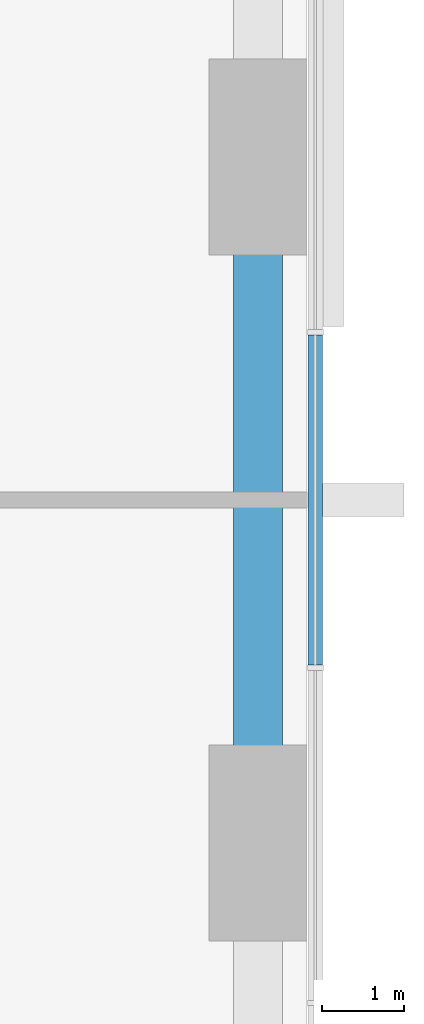
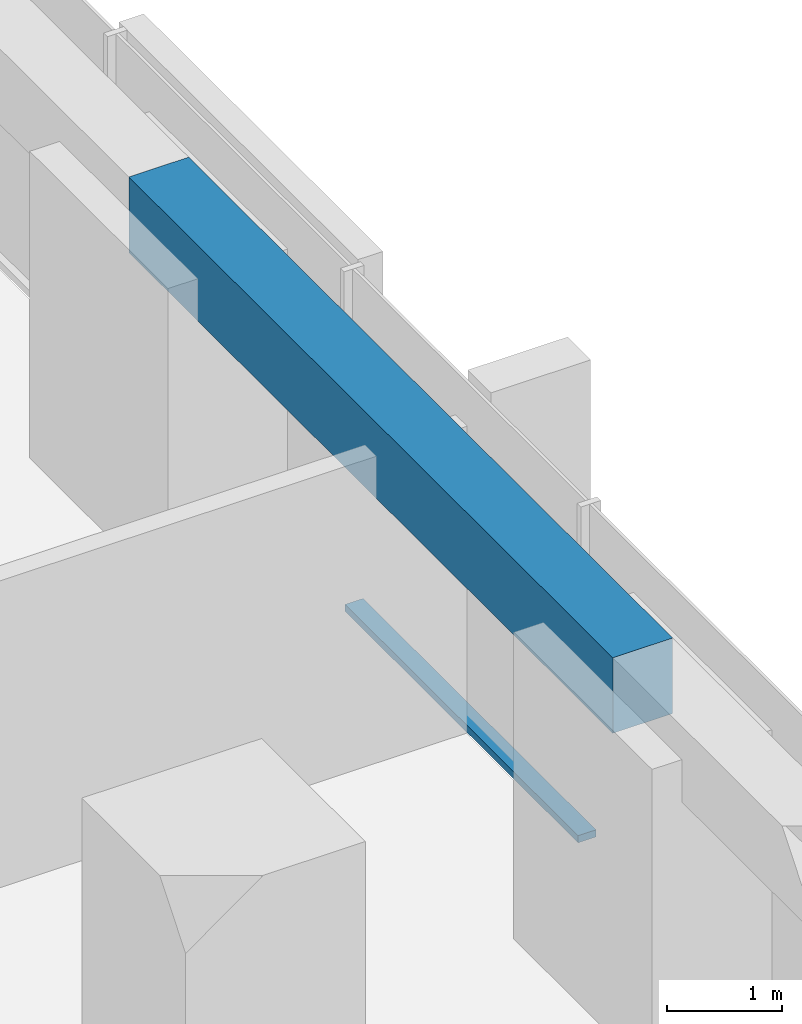
# One storey, part 5 of 17: 1 beam, 1 member, 1 element without a shape of its own.
"""IFC4 building model written with IfcOpenShell, lengths in metres."""

from ifc_helpers import new_model, si_unit, direction, frame, origin, origin_2d, place, context, subcontext, project, spatial, rectangle, extrude, material, material_profile, profile_set, type_object, element, aggregate, save


model = new_model("IFC4")

# Units and contexts
model_context = context("Model", 3, precision=1e-05, world=origin(), true_north=direction((0.0, 1.0)))
body_context = subcontext(model_context, "Body", "Model", "MODEL_VIEW")
ifc_project = project(units=[si_unit("LENGTHUNIT", "METRE"), si_unit("AREAUNIT", "SQUARE_METRE"), si_unit("VOLUMEUNIT", "CUBIC_METRE"), si_unit("PLANEANGLEUNIT", "RADIAN"), si_unit("MASSUNIT", "GRAM", prefix="KILO")], contexts=[model_context])

# Site, building, storey
site_placement = place(None, origin())
site = spatial("IfcSite", under=ifc_project, at=site_placement, CompositionType="ELEMENT")
building_placement = place(site_placement, origin())
building = spatial("IfcBuilding", under=site, at=building_placement, Name="Dunama Terrace Hotel", CompositionType="ELEMENT")
storey_placement = place(building_placement, frame((0.0, 0.0, 77.39990234375)))
storey = spatial("IfcBuildingStorey", under=building, at=storey_placement, Name="L19", CompositionType="ELEMENT", Elevation=77.39990234375)

# Curtain wall, member
ifc_material_1 = material(Name="Aluminium curtain wall system", Category="aluminium")
curtain_wall_type = type_object("IfcCurtainWallType", Name="Unitised fritted glass wall CW-A", PredefinedType="NOTDEFINED", material=ifc_material_1)
curtain_wall_placement = place(storey_placement, origin())
curtain_wall = element("IfcCurtainWall", 1, at=curtain_wall_placement, inside=storey, type_object=curtain_wall_type, Name="Unitised fritted glass wall CW-A L19", PredefinedType="NOTDEFINED")
ifc_material_2 = material(Name="Aluminium transom", Category="aluminium")
ifc_material_profile_1 = material_profile(ifc_material_2, rectangle(XDim=0.179931640625, YDim=0.074951171875, at=origin_2d()), Name="CWA TRANSOM 180X75")
ifc_profile_set_1 = profile_set([ifc_material_profile_1], Name="Aluminium transom")
member_type = type_object("IfcMemberType", Name="CWA transom 180x75", PredefinedType="USERDEFINED", material=ifc_profile_set_1)
member_placement = place(storey_placement, frame((58.89990234375, 27.37890625, 0.03759765625), z_axis=(0.0, 1.0, 0.0), x_axis=(-1.0, 0.0, 0.0)))
member = element("IfcMember", 2, at=member_placement, type_object=member_type, Name="CWA transom", ObjectType="TRANSOM", PredefinedType="USERDEFINED", context=body_context, shape_type="SweptSolid", body=[
    extrude(rectangle(XDim=0.179931640625, YDim=0.074951171875, at=origin_2d()), origin(), (0.0, 0.0, 1.0), 4.0419921875),
])
aggregate(curtain_wall, [member])

# Beam
ifc_material_3 = material(Name="Concrete C40/50", Category="concrete")
ifc_material_profile_2 = material_profile(ifc_material_3, rectangle(XDim=0.60009765625, YDim=0.800048828125, at=origin_2d()), Name="RC 600x800")
ifc_profile_set_2 = profile_set([ifc_material_profile_2], Name="Concrete C40/50")
beam_type = type_object("IfcBeamType", Name="Edge beam RC 600x800", PredefinedType="SPANDREL", material=ifc_profile_set_2)
beam_placement = place(storey_placement, frame((58.199951171875, 25.199951171875, 3.2001953125), z_axis=(0.0, 1.0, 0.0), x_axis=(-1.0, 0.0, 0.0)))
element("IfcBeam", 3, at=beam_placement, inside=storey, type_object=beam_type, Name="Edge beam under L20", PredefinedType="SPANDREL", context=body_context, shape_type="SweptSolid", body=[
    extrude(rectangle(XDim=0.60009765625, YDim=0.800048828125, at=origin_2d()), origin(), (0.0, 0.0, 1.0), 8.400146484375),
])

save(model, "model.ifc")
